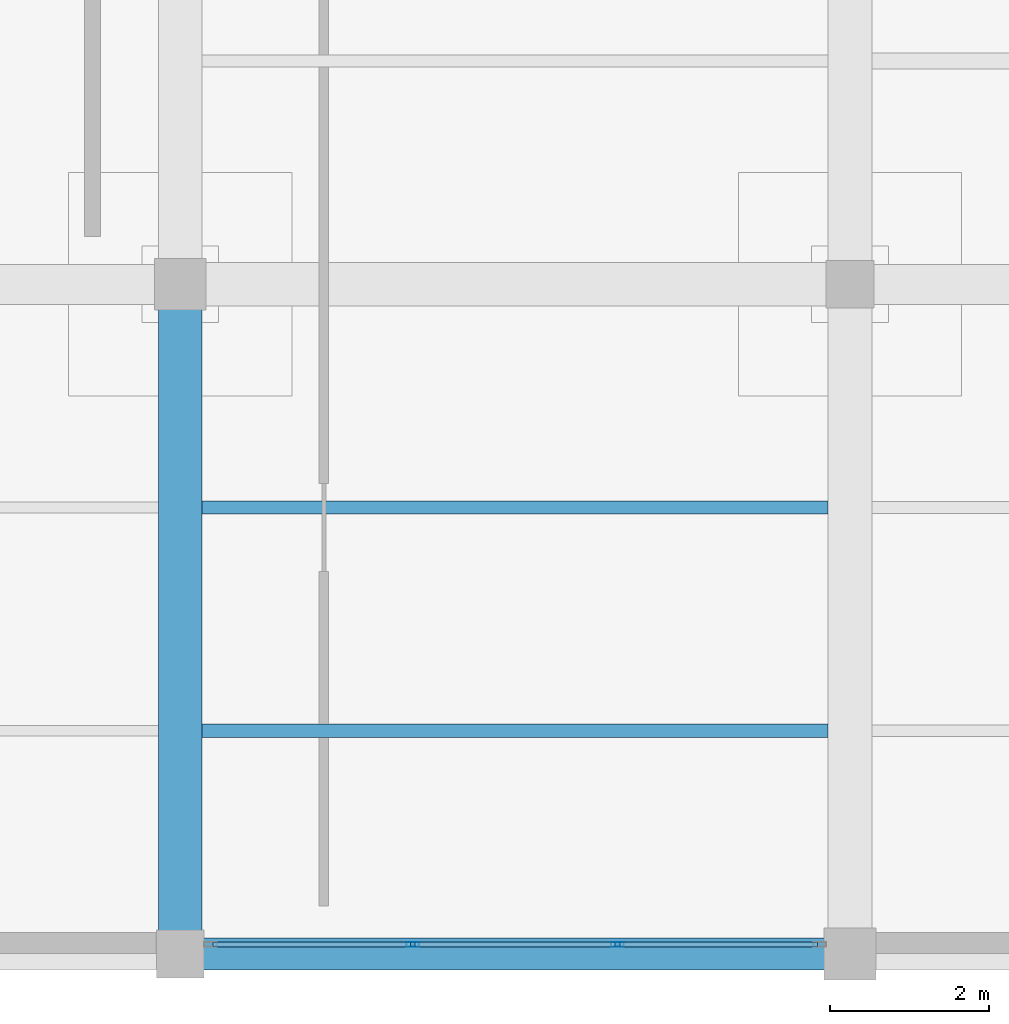
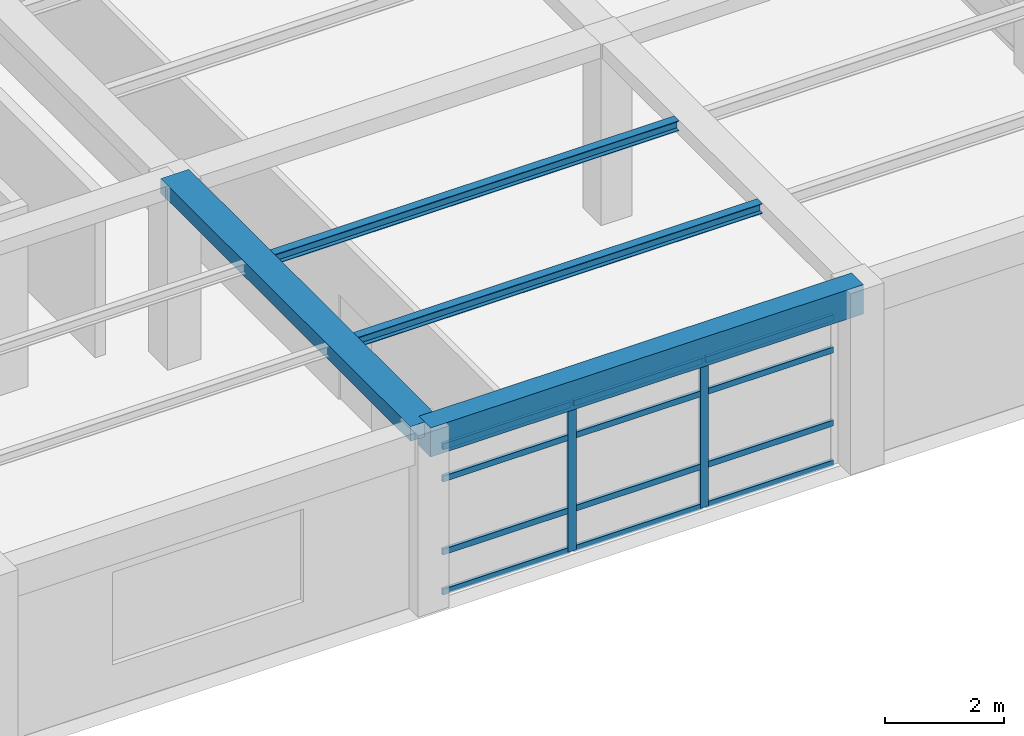
# One storey, part 7 of 26: 14 members, 4 beams, 1 element without a shape of its own.
"""IFC4 building model written with IfcOpenShell, lengths in metres."""

from ifc_helpers import new_model, si_unit, direction, frame, origin, origin_2d, place, context, subcontext, project, spatial, rectangle, hollow_rectangle, i_section, extrude, material, material_profile, profile_set, type_object, element, aggregate, save


model = new_model("IFC4")

# Units and contexts
model_context = context("Model", 3, precision=1e-05, world=origin(), true_north=direction((0.0, 1.0)))
body_context = subcontext(model_context, "Body", "Model", "MODEL_VIEW")
ifc_project = project(units=[si_unit("LENGTHUNIT", "METRE"), si_unit("AREAUNIT", "SQUARE_METRE"), si_unit("VOLUMEUNIT", "CUBIC_METRE"), si_unit("PLANEANGLEUNIT", "RADIAN"), si_unit("MASSUNIT", "GRAM", prefix="KILO")], contexts=[model_context])

# Site, building, storey
site_placement = place(None, origin())
site = spatial("IfcSite", under=ifc_project, at=site_placement, CompositionType="ELEMENT")
building_placement = place(site_placement, origin())
building = spatial("IfcBuilding", under=site, at=building_placement, Name="Almacenes y Pasaje Nevantli", CompositionType="ELEMENT")
storey_placement = place(building_placement, frame((0.0, 0.0, 46.699951171875)))
storey = spatial("IfcBuildingStorey", under=building, at=storey_placement, Name="L11", CompositionType="ELEMENT", Elevation=46.699951171875)

# Beams
ifc_material_1 = material(Name="Concrete C35/45", Category="concrete")
ifc_material_profile_1 = material_profile(ifc_material_1, rectangle(XDim=0.39990234375, YDim=0.60009765625, at=origin_2d()), Name="RC-BM-400x600")
ifc_profile_set_1 = profile_set([ifc_material_profile_1], Name="Concrete C35/45")
beam_type_1 = type_object("IfcBeamType", Name="BM-RC-400x600", PredefinedType="SPANDREL", material=ifc_profile_set_1)
beam_1_placement = place(storey_placement, frame((142.800048828125, 67.199951171875, 3.420166015625), z_axis=(1.0, 0.0, 0.0), x_axis=(0.0, 1.0, 0.0)))
element("IfcBeam", 1, at=beam_1_placement, inside=storey, type_object=beam_type_1, Name="L11 East-West Reinforced Concrete Beam #3847", PredefinedType="SPANDREL", context=body_context, shape_type="SweptSolid", body=[
    extrude(rectangle(XDim=0.39990234375, YDim=0.60009765625, at=origin_2d()), origin(), (0.0, 0.0, 1.0), 8.39990234375),
])
ifc_material_2 = material(Name="Concrete C35/45", Category="concrete")
ifc_material_profile_2 = material_profile(ifc_material_2, rectangle(XDim=0.550048828125, YDim=0.300048828125, at=origin_2d()), Name="RC-BM-550x300")
ifc_profile_set_2 = profile_set([ifc_material_profile_2], Name="Concrete C35/45")
beam_type_2 = type_object("IfcBeamType", Name="BM-RC-550x300", PredefinedType="BEAM", material=ifc_profile_set_2)
beam_2_placement = place(storey_placement, frame((142.800048828125, 67.199951171875, 3.570068359375), z_axis=(0.0, 1.0, 0.0), x_axis=(-1.0, 0.0, 0.0)))
element("IfcBeam", 2, at=beam_2_placement, inside=storey, type_object=beam_type_2, Name="L11 North-South Reinforced Concrete Beam #3879", PredefinedType="BEAM", context=body_context, shape_type="SweptSolid", body=[
    extrude(rectangle(XDim=0.550048828125, YDim=0.300048828125, at=origin_2d()), origin(), (0.0, 0.0, 1.0), 8.400146484375),
])
ifc_material_3 = material(Name="Steel ASTM A992", Category="steel")
ifc_material_profile_3 = material_profile(ifc_material_3, i_section(OverallWidth=0.166015625, OverallDepth=0.205078125, WebThickness=0.007080078125, FlangeThickness=0.01171875, at=origin_2d()), Name="IR 203x41.7")
ifc_profile_set_3 = profile_set([ifc_material_profile_3], Name="Steel ASTM A992")
beam_type_3 = type_object("IfcBeamType", Name="BM-STL-IR-203x41p7", PredefinedType="JOIST", material=ifc_profile_set_3)
for number, where, z_axis, x_axis, name in (
    (3, (143.074951171875, 70.0, 3.609619140625), (1.0, 0.0, 0.0), (0.0, 1.0, 0.0), "L11 Secondary Steel Floor Joist #1525"),
    (4, (143.074951171875, 72.800048828125, 3.609619140625), (1.0, 0.0, 0.0), (0.0, 1.0, 0.0), "L11 Secondary Steel Floor Joist #1526"),
):
    element("IfcBeam", number, at=place(storey_placement, frame(where, z_axis=z_axis, x_axis=x_axis)), inside=storey, type_object=beam_type_3, Name=name, PredefinedType="JOIST", context=body_context, shape_type="SweptSolid", body=[
        extrude(i_section(OverallWidth=0.166015625, OverallDepth=0.205078125, WebThickness=0.007080078125, FlangeThickness=0.01171875, at=origin_2d()), origin(), (0.0, 0.0, 1.0), 7.85009765625),
    ])

# Curtain wall, members
ifc_material_4 = material(Name="Thermally Broken Aluminium and Low-E Glass", Category="aluminium")
curtain_wall_type = type_object("IfcCurtainWallType", Name="CW-UNIT-TOWER", PredefinedType="USERDEFINED", material=ifc_material_4)
curtain_wall_placement = place(storey_placement, origin())
curtain_wall = element("IfcCurtainWall", 5, at=curtain_wall_placement, inside=storey, type_object=curtain_wall_type, Name="L11 Tower South Unitized Curtain Wall Bay 18", ObjectType="UNITIZED CURTAIN WALL", PredefinedType="USERDEFINED")
ifc_material_5 = material(Name="Thermally Broken Anodized Aluminium", Category="aluminium")
ifc_material_profile_4 = material_profile(ifc_material_5, hollow_rectangle(XDim=0.06005859375, YDim=0.159912109375, WallThickness=0.00390625, at=origin_2d()), Name="ALU-MUL-60x160")
ifc_profile_set_4 = profile_set([ifc_material_profile_4], Name="Thermally Broken Anodized Aluminium")
member_type_1 = type_object("IfcMemberType", Name="CW-MUL-180", PredefinedType="MULLION", material=ifc_profile_set_4)
member_1_placement = place(storey_placement, frame((145.716552734375, 67.320068359375, 0.0), z_axis=(0.0, 0.0, 1.0), x_axis=(0.0, 1.0, 0.0)))
member_1 = element("IfcMember", 6, at=member_1_placement, type_object=member_type_1, Name="CW-L11-153 mullion 2", PredefinedType="MULLION", context=body_context, shape_type="SweptSolid", body=[
    extrude(hollow_rectangle(XDim=0.06005859375, YDim=0.159912109375, WallThickness=0.00390625, at=origin_2d()), origin(), (0.0, 0.0, 1.0), 3.0400390625),
])
member_2_placement = place(storey_placement, frame((148.283447265625, 67.320068359375, 0.0), z_axis=(0.0, 0.0, 1.0), x_axis=(0.0, 1.0, 0.0)))
member_2 = element("IfcMember", 7, at=member_2_placement, type_object=member_type_1, Name="CW-L11-153 mullion 3", PredefinedType="MULLION", context=body_context, shape_type="SweptSolid", body=[
    extrude(hollow_rectangle(XDim=0.06005859375, YDim=0.159912109375, WallThickness=0.00390625, at=origin_2d()), origin(), (0.0, 0.0, 1.0), 3.0400390625),
])
ifc_material_6 = material(Name="Thermally Broken Anodized Aluminium", Category="aluminium")
ifc_material_profile_5 = material_profile(ifc_material_6, hollow_rectangle(XDim=0.06005859375, YDim=0.1201171875, WallThickness=0.00341796875, at=origin_2d()), Name="ALU-TRN-60x120")
ifc_profile_set_5 = profile_set([ifc_material_profile_5], Name="Thermally Broken Anodized Aluminium")
member_type_2 = type_object("IfcMemberType", Name="CW-TRN-130", PredefinedType="USERDEFINED", material=ifc_profile_set_5)
member_3_placement = place(storey_placement, frame((143.2099609375, 67.320068359375, 0.030029296875), z_axis=(1.0, 0.0, 0.0), x_axis=(0.0, 1.0, 0.0)))
member_3 = element("IfcMember", 8, at=member_3_placement, type_object=member_type_2, Name="CW-L11-153 transom 1.1", ObjectType="TRANSOM", PredefinedType="USERDEFINED", context=body_context, shape_type="SweptSolid", body=[
    extrude(hollow_rectangle(XDim=0.06005859375, YDim=0.1201171875, WallThickness=0.00341796875, at=origin_2d()), origin(), (0.0, 0.0, 1.0), 2.476806640625),
])
member_4_placement = place(storey_placement, frame((143.2099609375, 67.320068359375, 0.85009765625), z_axis=(1.0, 0.0, 0.0), x_axis=(0.0, 1.0, 0.0)))
member_4 = element("IfcMember", 9, at=member_4_placement, type_object=member_type_2, Name="CW-L11-153 transom 1.2", ObjectType="TRANSOM", PredefinedType="USERDEFINED", context=body_context, shape_type="SweptSolid", body=[
    extrude(hollow_rectangle(XDim=0.06005859375, YDim=0.1201171875, WallThickness=0.00341796875, at=origin_2d()), origin(), (0.0, 0.0, 1.0), 2.476806640625),
])
member_5_placement = place(storey_placement, frame((143.2099609375, 67.320068359375, 2.35009765625), z_axis=(1.0, 0.0, 0.0), x_axis=(0.0, 1.0, 0.0)))
member_5 = element("IfcMember", 10, at=member_5_placement, type_object=member_type_2, Name="CW-L11-153 transom 1.3", ObjectType="TRANSOM", PredefinedType="USERDEFINED", context=body_context, shape_type="SweptSolid", body=[
    extrude(hollow_rectangle(XDim=0.06005859375, YDim=0.1201171875, WallThickness=0.00341796875, at=origin_2d()), origin(), (0.0, 0.0, 1.0), 2.476806640625),
])
member_6_placement = place(storey_placement, frame((143.2099609375, 67.320068359375, 3.010009765625), z_axis=(1.0, 0.0, 0.0), x_axis=(0.0, 1.0, 0.0)))
member_6 = element("IfcMember", 11, at=member_6_placement, type_object=member_type_2, Name="CW-L11-153 transom 1.4", ObjectType="TRANSOM", PredefinedType="USERDEFINED", context=body_context, shape_type="SweptSolid", body=[
    extrude(hollow_rectangle(XDim=0.06005859375, YDim=0.1201171875, WallThickness=0.00341796875, at=origin_2d()), origin(), (0.0, 0.0, 1.0), 2.476806640625),
])
member_7_placement = place(storey_placement, frame((145.74658203125, 67.320068359375, 0.030029296875), z_axis=(1.0, 0.0, 0.0), x_axis=(0.0, 1.0, 0.0)))
member_7 = element("IfcMember", 12, at=member_7_placement, type_object=member_type_2, Name="CW-L11-153 transom 2.1", ObjectType="TRANSOM", PredefinedType="USERDEFINED", context=body_context, shape_type="SweptSolid", body=[
    extrude(hollow_rectangle(XDim=0.06005859375, YDim=0.1201171875, WallThickness=0.00341796875, at=origin_2d()), origin(), (0.0, 0.0, 1.0), 2.5068359375),
])
member_8_placement = place(storey_placement, frame((145.74658203125, 67.320068359375, 0.85009765625), z_axis=(1.0, 0.0, 0.0), x_axis=(0.0, 1.0, 0.0)))
member_8 = element("IfcMember", 13, at=member_8_placement, type_object=member_type_2, Name="CW-L11-153 transom 2.2", ObjectType="TRANSOM", PredefinedType="USERDEFINED", context=body_context, shape_type="SweptSolid", body=[
    extrude(hollow_rectangle(XDim=0.06005859375, YDim=0.1201171875, WallThickness=0.00341796875, at=origin_2d()), origin(), (0.0, 0.0, 1.0), 2.5068359375),
])
member_9_placement = place(storey_placement, frame((145.74658203125, 67.320068359375, 2.35009765625), z_axis=(1.0, 0.0, 0.0), x_axis=(0.0, 1.0, 0.0)))
member_9 = element("IfcMember", 14, at=member_9_placement, type_object=member_type_2, Name="CW-L11-153 transom 2.3", ObjectType="TRANSOM", PredefinedType="USERDEFINED", context=body_context, shape_type="SweptSolid", body=[
    extrude(hollow_rectangle(XDim=0.06005859375, YDim=0.1201171875, WallThickness=0.00341796875, at=origin_2d()), origin(), (0.0, 0.0, 1.0), 2.5068359375),
])
member_10_placement = place(storey_placement, frame((145.74658203125, 67.320068359375, 3.010009765625), z_axis=(1.0, 0.0, 0.0), x_axis=(0.0, 1.0, 0.0)))
member_10 = element("IfcMember", 15, at=member_10_placement, type_object=member_type_2, Name="CW-L11-153 transom 2.4", ObjectType="TRANSOM", PredefinedType="USERDEFINED", context=body_context, shape_type="SweptSolid", body=[
    extrude(hollow_rectangle(XDim=0.06005859375, YDim=0.1201171875, WallThickness=0.00341796875, at=origin_2d()), origin(), (0.0, 0.0, 1.0), 2.5068359375),
])
member_11_placement = place(storey_placement, frame((148.313232421875, 67.320068359375, 0.030029296875), z_axis=(1.0, 0.0, 0.0), x_axis=(0.0, 1.0, 0.0)))
member_11 = element("IfcMember", 16, at=member_11_placement, type_object=member_type_2, Name="CW-L11-153 transom 3.1", ObjectType="TRANSOM", PredefinedType="USERDEFINED", context=body_context, shape_type="SweptSolid", body=[
    extrude(hollow_rectangle(XDim=0.06005859375, YDim=0.1201171875, WallThickness=0.00341796875, at=origin_2d()), origin(), (0.0, 0.0, 1.0), 2.476806640625),
])
member_12_placement = place(storey_placement, frame((148.313232421875, 67.320068359375, 0.85009765625), z_axis=(1.0, 0.0, 0.0), x_axis=(0.0, 1.0, 0.0)))
member_12 = element("IfcMember", 17, at=member_12_placement, type_object=member_type_2, Name="CW-L11-153 transom 3.2", ObjectType="TRANSOM", PredefinedType="USERDEFINED", context=body_context, shape_type="SweptSolid", body=[
    extrude(hollow_rectangle(XDim=0.06005859375, YDim=0.1201171875, WallThickness=0.00341796875, at=origin_2d()), origin(), (0.0, 0.0, 1.0), 2.476806640625),
])
member_13_placement = place(storey_placement, frame((148.313232421875, 67.320068359375, 2.35009765625), z_axis=(1.0, 0.0, 0.0), x_axis=(0.0, 1.0, 0.0)))
member_13 = element("IfcMember", 18, at=member_13_placement, type_object=member_type_2, Name="CW-L11-153 transom 3.3", ObjectType="TRANSOM", PredefinedType="USERDEFINED", context=body_context, shape_type="SweptSolid", body=[
    extrude(hollow_rectangle(XDim=0.06005859375, YDim=0.1201171875, WallThickness=0.00341796875, at=origin_2d()), origin(), (0.0, 0.0, 1.0), 2.476806640625),
])
member_14_placement = place(storey_placement, frame((148.313232421875, 67.320068359375, 3.010009765625), z_axis=(1.0, 0.0, 0.0), x_axis=(0.0, 1.0, 0.0)))
member_14 = element("IfcMember", 19, at=member_14_placement, type_object=member_type_2, Name="CW-L11-153 transom 3.4", ObjectType="TRANSOM", PredefinedType="USERDEFINED", context=body_context, shape_type="SweptSolid", body=[
    extrude(hollow_rectangle(XDim=0.06005859375, YDim=0.1201171875, WallThickness=0.00341796875, at=origin_2d()), origin(), (0.0, 0.0, 1.0), 2.476806640625),
])
aggregate(curtain_wall, [member_1, member_2, member_3, member_4, member_5, member_6, member_7, member_8, member_9, member_10, member_11, member_12, member_13, member_14])

save(model, "model.ifc")
